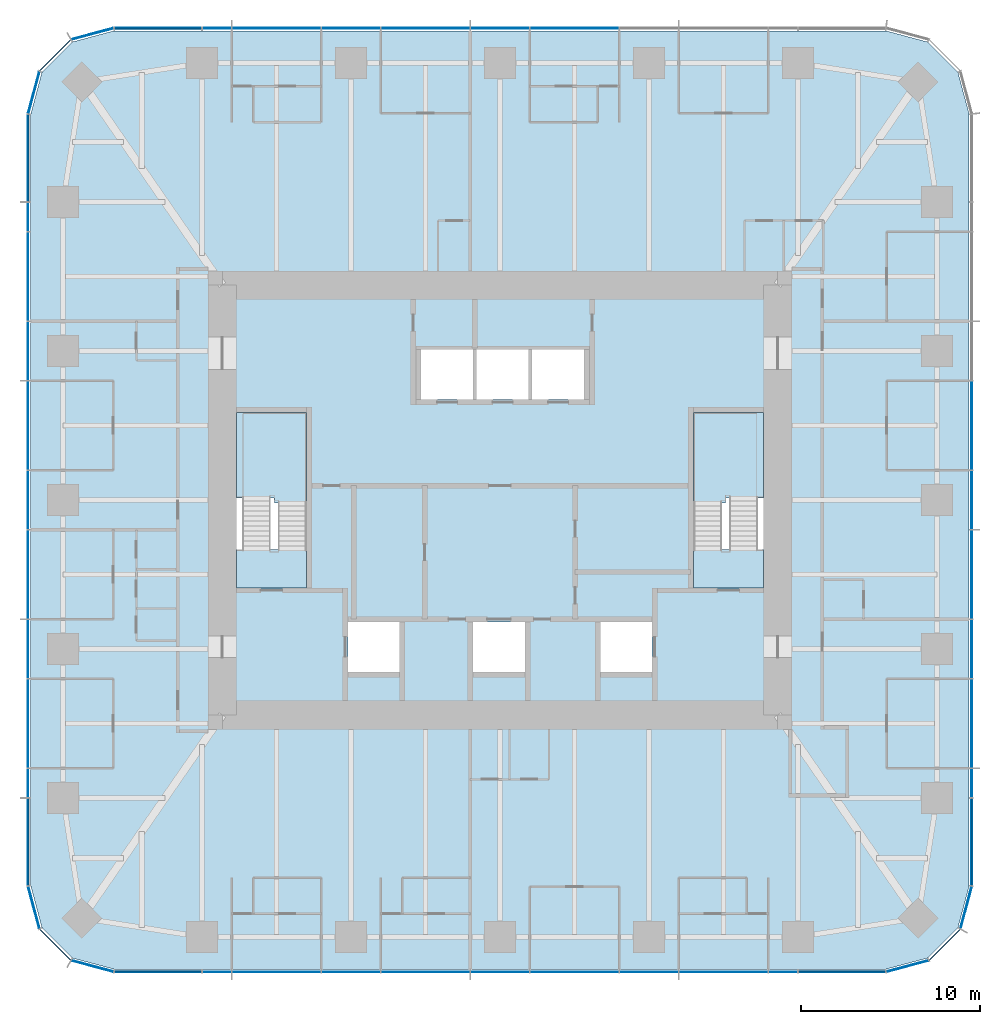
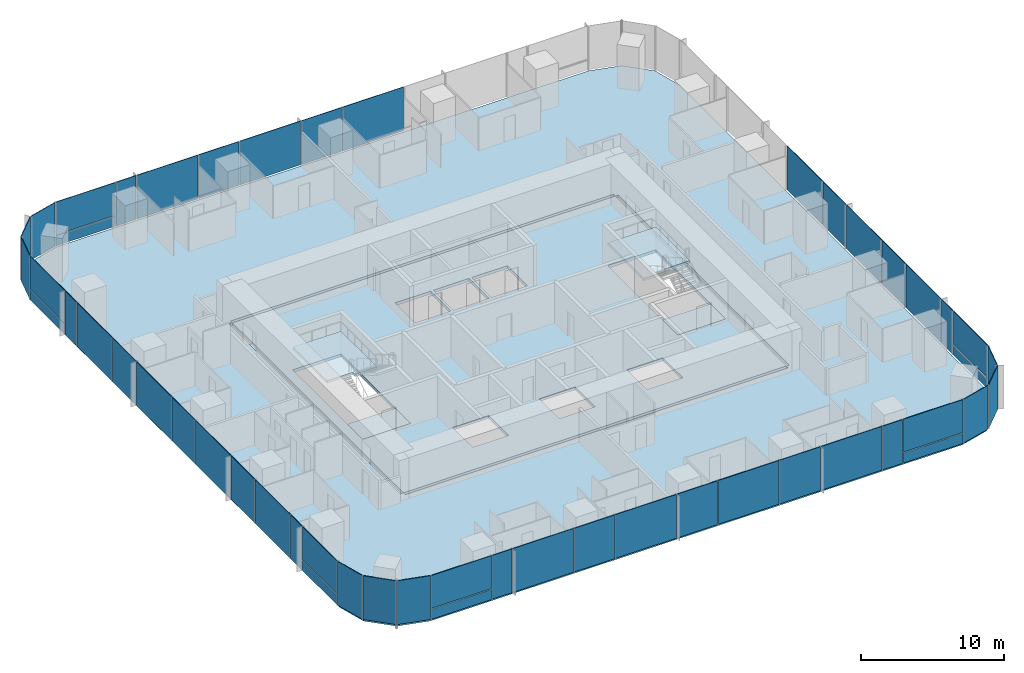
# One storey, part 7 of 12: 51 plates, 6 slabs, 9 elements without a shape of their own.
"""IFC4 building model written with IfcOpenShell, lengths in metres."""

from ifc_helpers import new_model, si_unit, direction, frame, origin, origin_2d, place, context, subcontext, project, spatial, polyline, rectangle, outline, extrude, material, layer, layer_set, type_object, element, aggregate, save


model = new_model("IFC4")

# Units and contexts
model_context = context("Model", 3, precision=1e-05, world=origin(), true_north=direction((0.0, 1.0)))
body_context = subcontext(model_context, "Body", "Model", "MODEL_VIEW")
ifc_project = project(units=[si_unit("LENGTHUNIT", "METRE"), si_unit("AREAUNIT", "SQUARE_METRE"), si_unit("VOLUMEUNIT", "CUBIC_METRE"), si_unit("PLANEANGLEUNIT", "RADIAN"), si_unit("MASSUNIT", "GRAM", prefix="KILO")], contexts=[model_context])

# Site, building, storey
site_placement = place(None, origin())
site = spatial("IfcSite", under=ifc_project, at=site_placement, CompositionType="ELEMENT")
building_placement = place(site_placement, origin())
building = spatial("IfcBuilding", under=site, at=building_placement, Name="Khuree Lantern Residences", CompositionType="ELEMENT")
storey_placement = place(building_placement, frame((0.0, 0.0, 222.0)))
storey = spatial("IfcBuildingStorey", under=building, at=storey_placement, Name="L55", CompositionType="ELEMENT", Elevation=222.0)

# Slab
ifc_material_1 = material(Name="Concrete C35/45", Category="concrete")
ifc_layer_1 = layer(ifc_material_1, 0.25)
ifc_layer_set_1 = layer_set([ifc_layer_1], Name="CFL250 CORE FLOOR SLAB 250")
slab_type_1 = type_object("IfcSlabType", Name="CFL250 CORE FLOOR SLAB 250", PredefinedType="FLOOR", material=ifc_layer_set_1)
slab_1_placement = place(storey_placement, frame((0.0, 0.0, -0.25)))
element("IfcSlab", 1, at=slab_1_placement, inside=storey, type_object=slab_type_1, Name="Core floor L55", PredefinedType="FLOOR", context=body_context, shape_type="SweptSolid", body=[
    extrude(outline(polyline([(-15.5, -12.0), (-15.5, 12.0), (15.5, 12.0), (15.5, -12.0), (-15.5, -12.0)]), holes=[polyline([(10.800048828125, 4.89990234375), (10.800048828125, -4.89990234375), (14.699951171875, -4.89990234375), (14.699951171875, 4.89990234375), (10.800048828125, 4.89990234375)]), polyline([(5.60009765625, -6.800048828125), (5.60009765625, -9.60009765625), (8.5, -9.60009765625), (8.5, -6.800048828125), (5.60009765625, -6.800048828125)]), polyline([(1.800048828125, 8.39990234375), (1.800048828125, 5.60009765625), (4.699951171875, 5.60009765625), (4.699951171875, 8.39990234375), (1.800048828125, 8.39990234375)]), polyline([(-1.300048828125, 8.39990234375), (-1.300048828125, 5.60009765625), (1.60009765625, 5.60009765625), (1.60009765625, 8.39990234375), (-1.300048828125, 8.39990234375)]), polyline([(-1.5, -6.800048828125), (-1.5, -9.60009765625), (1.39990234375, -9.60009765625), (1.39990234375, -6.800048828125), (-1.5, -6.800048828125)]), polyline([(-4.39990234375, 8.39990234375), (-4.39990234375, 5.60009765625), (-1.5, 5.60009765625), (-1.5, 8.39990234375), (-4.39990234375, 8.39990234375)]), polyline([(-8.5, -6.800048828125), (-8.5, -9.60009765625), (-5.60009765625, -9.60009765625), (-5.60009765625, -6.800048828125), (-8.5, -6.800048828125)]), polyline([(-14.699951171875, 4.89990234375), (-14.699951171875, -4.89990234375), (-10.800048828125, -4.89990234375), (-10.800048828125, 4.89990234375), (-14.699951171875, 4.89990234375)])]), origin(), (0.0, 0.0, 1.0), 0.25),
])

# Curtain wall, plates
ifc_material_2 = material(Name="Bronze anodised aluminium", Category="aluminium")
curtain_wall_type_1 = type_object("IfcCurtainWallType", Name="CW-T2 TOWER CORNER CURTAIN WALL", PredefinedType="USERDEFINED", material=ifc_material_2)
curtain_wall_1_placement = place(storey_placement, origin())
curtain_wall_1 = element("IfcCurtainWall", 2, at=curtain_wall_1_placement, inside=storey, type_object=curtain_wall_type_1, Name="L55 SOUTH-EAST CORNER CURTAIN WALL", ObjectType="Faceted corner curtain wall", PredefinedType="USERDEFINED")
ifc_material_3 = material(Name="Bronze tinted triple glazing", Category="glass")
ifc_layer_2 = layer(ifc_material_3, 0.048095703125)
ifc_layer_set_2 = layer_set([ifc_layer_2], Name="FACET PANEL P4")
plate_type_1 = type_object("IfcPlateType", Name="FACET PANEL P4", PredefinedType="CURTAIN_PANEL", material=ifc_layer_set_2)
plate_1_placement = place(storey_placement, frame((22.748046875, -26.029052734375, 0.0), z_axis=(0.0, 0.0, 1.0), x_axis=(0.965925832509, 0.258819021888, 0.0)))
plate_1 = element("IfcPlate", 3, at=plate_1_placement, type_object=plate_type_1, Name="L55 SOUTH-EAST CORNER PANEL 1.1", PredefinedType="CURTAIN_PANEL", context=body_context, shape_type="SweptSolid", body=[
    extrude(rectangle(XDim=2.40869140625, YDim=0.048095703125, at=origin_2d()), origin(), (0.0, 0.0, 1.0), 3.75),
])
plate_2_placement = place(storey_placement, frame((24.828369140625, -24.828369140625, 0.0), z_axis=(0.0, 0.0, 1.0), x_axis=(0.707106781187, 0.707106781187, 0.0)))
plate_2 = element("IfcPlate", 4, at=plate_2_placement, type_object=plate_type_1, Name="L55 SOUTH-EAST CORNER PANEL 2.1", PredefinedType="CURTAIN_PANEL", context=body_context, shape_type="SweptSolid", body=[
    extrude(rectangle(XDim=2.404541015625, YDim=0.048095703125, at=origin_2d()), origin(), (0.0, 0.0, 1.0), 3.75),
])
plate_3_placement = place(storey_placement, frame((26.029052734375, -22.748046875, 0.0), z_axis=(0.0, 0.0, 1.0), x_axis=(0.258819021888, 0.965925832509, 0.0)))
plate_3 = element("IfcPlate", 5, at=plate_3_placement, type_object=plate_type_1, Name="L55 SOUTH-EAST CORNER PANEL 3.1", PredefinedType="CURTAIN_PANEL", context=body_context, shape_type="SweptSolid", body=[
    extrude(rectangle(XDim=2.40869140625, YDim=0.048095703125, at=origin_2d()), origin(), (0.0, 0.0, 1.0), 3.75),
])
aggregate(curtain_wall_1, [plate_1, plate_2, plate_3])

curtain_wall_2_placement = place(storey_placement, origin())
curtain_wall_2 = element("IfcCurtainWall", 6, at=curtain_wall_2_placement, inside=storey, type_object=curtain_wall_type_1, Name="L55 NORTH-WEST CORNER CURTAIN WALL", ObjectType="Faceted corner curtain wall", PredefinedType="USERDEFINED")
plate_4_placement = place(storey_placement, frame((-22.748046875, 26.029052734375, 0.0), z_axis=(0.0, 0.0, 1.0), x_axis=(-0.965925832509, -0.258819021888, 0.0)))
plate_4 = element("IfcPlate", 7, at=plate_4_placement, type_object=plate_type_1, Name="L55 NORTH-WEST CORNER PANEL 29.1", PredefinedType="CURTAIN_PANEL", context=body_context, shape_type="SweptSolid", body=[
    extrude(rectangle(XDim=2.40869140625, YDim=0.048095703125, at=origin_2d()), origin(), (0.0, 0.0, 1.0), 3.75),
])
plate_5_placement = place(storey_placement, frame((-24.828369140625, 24.828369140625, 0.0), z_axis=(0.0, 0.0, 1.0), x_axis=(-0.707106781187, -0.707106781187, 0.0)))
plate_5 = element("IfcPlate", 8, at=plate_5_placement, type_object=plate_type_1, Name="L55 NORTH-WEST CORNER PANEL 30.1", PredefinedType="CURTAIN_PANEL", context=body_context, shape_type="SweptSolid", body=[
    extrude(rectangle(XDim=2.404541015625, YDim=0.048095703125, at=origin_2d()), origin(), (0.0, 0.0, 1.0), 3.75),
])
plate_6_placement = place(storey_placement, frame((-26.029052734375, 22.748046875, 0.0), z_axis=(0.0, 0.0, 1.0), x_axis=(-0.258819021888, -0.965925832509, 0.0)))
plate_6 = element("IfcPlate", 9, at=plate_6_placement, type_object=plate_type_1, Name="L55 NORTH-WEST CORNER PANEL 31.1", PredefinedType="CURTAIN_PANEL", context=body_context, shape_type="SweptSolid", body=[
    extrude(rectangle(XDim=2.40869140625, YDim=0.048095703125, at=origin_2d()), origin(), (0.0, 0.0, 1.0), 3.75),
])
aggregate(curtain_wall_2, [plate_4, plate_5, plate_6])

curtain_wall_3_placement = place(storey_placement, origin())
curtain_wall_3 = element("IfcCurtainWall", 10, at=curtain_wall_3_placement, inside=storey, type_object=curtain_wall_type_1, Name="L55 SOUTH-WEST CORNER CURTAIN WALL", ObjectType="Faceted corner curtain wall", PredefinedType="USERDEFINED")
plate_7_placement = place(storey_placement, frame((-26.029052734375, -22.748046875, 0.0), z_axis=(0.0, 0.0, 1.0), x_axis=(0.258819021888, -0.965925832509, 0.0)))
plate_7 = element("IfcPlate", 11, at=plate_7_placement, type_object=plate_type_1, Name="L55 SOUTH-WEST CORNER PANEL 43.1", PredefinedType="CURTAIN_PANEL", context=body_context, shape_type="SweptSolid", body=[
    extrude(rectangle(XDim=2.40869140625, YDim=0.048095703125, at=origin_2d()), origin(), (0.0, 0.0, 1.0), 3.75),
])
plate_8_placement = place(storey_placement, frame((-24.828369140625, -24.828369140625, 0.0), z_axis=(0.0, 0.0, 1.0), x_axis=(0.707106781187, -0.707106781187, 0.0)))
plate_8 = element("IfcPlate", 12, at=plate_8_placement, type_object=plate_type_1, Name="L55 SOUTH-WEST CORNER PANEL 44.1", PredefinedType="CURTAIN_PANEL", context=body_context, shape_type="SweptSolid", body=[
    extrude(rectangle(XDim=2.404541015625, YDim=0.048095703125, at=origin_2d()), origin(), (0.0, 0.0, 1.0), 3.75),
])
plate_9_placement = place(storey_placement, frame((-22.748046875, -26.029052734375, 0.0), z_axis=(0.0, 0.0, 1.0), x_axis=(0.965925832509, -0.258819021888, 0.0)))
plate_9 = element("IfcPlate", 13, at=plate_9_placement, type_object=plate_type_1, Name="L55 SOUTH-WEST CORNER PANEL 45.1", PredefinedType="CURTAIN_PANEL", context=body_context, shape_type="SweptSolid", body=[
    extrude(rectangle(XDim=2.40869140625, YDim=0.048095703125, at=origin_2d()), origin(), (0.0, 0.0, 1.0), 3.75),
])
aggregate(curtain_wall_3, [plate_7, plate_8, plate_9])

curtain_wall_type_2 = type_object("IfcCurtainWallType", Name="CW-T1 TOWER FACE CURTAIN WALL", PredefinedType="USERDEFINED", material=ifc_material_2)
curtain_wall_4_placement = place(storey_placement, origin())
curtain_wall_4 = element("IfcCurtainWall", 14, at=curtain_wall_4_placement, inside=storey, type_object=curtain_wall_type_2, Name="L55 EAST FACE CURTAIN WALL", ObjectType="Stick-built curtain wall", PredefinedType="USERDEFINED")
ifc_material_4 = material(Name="Bronze tinted triple glazing with a ceramic-fritted spandrel band", Category="glass")
ifc_layer_3 = layer(ifc_material_4, 0.048095703125)
ifc_layer_set_3 = layer_set([ifc_layer_3], Name="FIXED LIGHT PANEL P11")
plate_type_2 = type_object("IfcPlateType", Name="FIXED LIGHT PANEL P11", PredefinedType="CURTAIN_PANEL", material=ifc_layer_set_3)
plate_10_placement = place(storey_placement, frame((26.35009765625, -12.47998046875, 0.0), z_axis=(0.0, 0.0, 1.0), x_axis=(0.0, 1.0, 0.0)))
plate_10 = element("IfcPlate", 15, at=plate_10_placement, type_object=plate_type_2, Name="L55 EAST FACE PANEL 6.1", PredefinedType="CURTAIN_PANEL", context=body_context, shape_type="SweptSolid", body=[
    extrude(rectangle(XDim=4.927001953125, YDim=0.048095703125, at=origin_2d()), origin(), (0.0, 0.0, 1.0), 3.75),
])
plate_11_placement = place(storey_placement, frame((26.35009765625, -4.159912109375, 0.0), z_axis=(0.0, 0.0, 1.0), x_axis=(0.0, 1.0, 0.0)))
plate_11 = element("IfcPlate", 16, at=plate_11_placement, type_object=plate_type_2, Name="L55 EAST FACE PANEL 8.1", PredefinedType="CURTAIN_PANEL", context=body_context, shape_type="SweptSolid", body=[
    extrude(rectangle(XDim=4.927001953125, YDim=0.048095703125, at=origin_2d()), origin(), (0.0, 0.0, 1.0), 3.75),
])
plate_12_placement = place(storey_placement, frame((26.35009765625, 4.159912109375, 0.0), z_axis=(0.0, 0.0, 1.0), x_axis=(0.0, 1.0, 0.0)))
plate_12 = element("IfcPlate", 17, at=plate_12_placement, type_object=plate_type_2, Name="L55 EAST FACE PANEL 10.1", PredefinedType="CURTAIN_PANEL", context=body_context, shape_type="SweptSolid", body=[
    extrude(rectangle(XDim=4.927001953125, YDim=0.048095703125, at=origin_2d()), origin(), (0.0, 0.0, 1.0), 3.75),
])

curtain_wall_5_placement = place(storey_placement, origin())
curtain_wall_5 = element("IfcCurtainWall", 18, at=curtain_wall_5_placement, inside=storey, type_object=curtain_wall_type_2, Name="L55 NORTH FACE CURTAIN WALL", ObjectType="Stick-built curtain wall", PredefinedType="USERDEFINED")
plate_13_placement = place(storey_placement, frame((4.159912109375, 26.35009765625, 0.0), z_axis=(0.0, 0.0, 1.0), x_axis=(-1.0, 0.0, 0.0)))
plate_13 = element("IfcPlate", 19, at=plate_13_placement, type_object=plate_type_2, Name="L55 NORTH FACE PANEL 22.1", PredefinedType="CURTAIN_PANEL", context=body_context, shape_type="SweptSolid", body=[
    extrude(rectangle(XDim=4.927001953125, YDim=0.048095703125, at=origin_2d()), origin(), (0.0, 0.0, 1.0), 3.75),
])
plate_14_placement = place(storey_placement, frame((-4.159912109375, 26.35009765625, 0.0), z_axis=(0.0, 0.0, 1.0), x_axis=(-1.0, 0.0, 0.0)))
plate_14 = element("IfcPlate", 20, at=plate_14_placement, type_object=plate_type_2, Name="L55 NORTH FACE PANEL 24.1", PredefinedType="CURTAIN_PANEL", context=body_context, shape_type="SweptSolid", body=[
    extrude(rectangle(XDim=4.927001953125, YDim=0.048095703125, at=origin_2d()), origin(), (0.0, 0.0, 1.0), 3.75),
])
plate_15_placement = place(storey_placement, frame((-12.47998046875, 26.35009765625, 0.0), z_axis=(0.0, 0.0, 1.0), x_axis=(-1.0, 0.0, 0.0)))
plate_15 = element("IfcPlate", 21, at=plate_15_placement, type_object=plate_type_2, Name="L55 NORTH FACE PANEL 26.1", PredefinedType="CURTAIN_PANEL", context=body_context, shape_type="SweptSolid", body=[
    extrude(rectangle(XDim=4.927001953125, YDim=0.048095703125, at=origin_2d()), origin(), (0.0, 0.0, 1.0), 3.75),
])

curtain_wall_6_placement = place(storey_placement, origin())
curtain_wall_6 = element("IfcCurtainWall", 22, at=curtain_wall_6_placement, inside=storey, type_object=curtain_wall_type_2, Name="L55 WEST FACE CURTAIN WALL", ObjectType="Stick-built curtain wall", PredefinedType="USERDEFINED")
plate_16_placement = place(storey_placement, frame((-26.35009765625, 12.47998046875, 0.0), z_axis=(0.0, 0.0, 1.0), x_axis=(0.0, -1.0, 0.0)))
plate_16 = element("IfcPlate", 23, at=plate_16_placement, type_object=plate_type_2, Name="L55 WEST FACE PANEL 34.1", PredefinedType="CURTAIN_PANEL", context=body_context, shape_type="SweptSolid", body=[
    extrude(rectangle(XDim=4.927001953125, YDim=0.048095703125, at=origin_2d()), origin(), (0.0, 0.0, 1.0), 3.75),
])
plate_17_placement = place(storey_placement, frame((-26.35009765625, 4.159912109375, 0.0), z_axis=(0.0, 0.0, 1.0), x_axis=(0.0, -1.0, 0.0)))
plate_17 = element("IfcPlate", 24, at=plate_17_placement, type_object=plate_type_2, Name="L55 WEST FACE PANEL 36.1", PredefinedType="CURTAIN_PANEL", context=body_context, shape_type="SweptSolid", body=[
    extrude(rectangle(XDim=4.927001953125, YDim=0.048095703125, at=origin_2d()), origin(), (0.0, 0.0, 1.0), 3.75),
])
plate_18_placement = place(storey_placement, frame((-26.35009765625, -4.159912109375, 0.0), z_axis=(0.0, 0.0, 1.0), x_axis=(0.0, -1.0, 0.0)))
plate_18 = element("IfcPlate", 25, at=plate_18_placement, type_object=plate_type_2, Name="L55 WEST FACE PANEL 38.1", PredefinedType="CURTAIN_PANEL", context=body_context, shape_type="SweptSolid", body=[
    extrude(rectangle(XDim=4.927001953125, YDim=0.048095703125, at=origin_2d()), origin(), (0.0, 0.0, 1.0), 3.75),
])
plate_19_placement = place(storey_placement, frame((-26.35009765625, -12.47998046875, 0.0), z_axis=(0.0, 0.0, 1.0), x_axis=(0.0, -1.0, 0.0)))
plate_19 = element("IfcPlate", 26, at=plate_19_placement, type_object=plate_type_2, Name="L55 WEST FACE PANEL 40.1", PredefinedType="CURTAIN_PANEL", context=body_context, shape_type="SweptSolid", body=[
    extrude(rectangle(XDim=4.927001953125, YDim=0.048095703125, at=origin_2d()), origin(), (0.0, 0.0, 1.0), 3.75),
])

curtain_wall_7_placement = place(storey_placement, origin())
curtain_wall_7 = element("IfcCurtainWall", 27, at=curtain_wall_7_placement, inside=storey, type_object=curtain_wall_type_2, Name="L55 SOUTH FACE CURTAIN WALL", ObjectType="Stick-built curtain wall", PredefinedType="USERDEFINED")
plate_20_placement = place(storey_placement, frame((-12.47998046875, -26.35009765625, 0.0), z_axis=(0.0, 0.0, 1.0), x_axis=(1.0, 0.0, 0.0)))
plate_20 = element("IfcPlate", 28, at=plate_20_placement, type_object=plate_type_2, Name="L55 SOUTH FACE PANEL 48.1", PredefinedType="CURTAIN_PANEL", context=body_context, shape_type="SweptSolid", body=[
    extrude(rectangle(XDim=4.927001953125, YDim=0.048095703125, at=origin_2d()), origin(), (0.0, 0.0, 1.0), 3.75),
])
plate_21_placement = place(storey_placement, frame((-4.159912109375, -26.35009765625, 0.0), z_axis=(0.0, 0.0, 1.0), x_axis=(1.0, 0.0, 0.0)))
plate_21 = element("IfcPlate", 29, at=plate_21_placement, type_object=plate_type_2, Name="L55 SOUTH FACE PANEL 50.1", PredefinedType="CURTAIN_PANEL", context=body_context, shape_type="SweptSolid", body=[
    extrude(rectangle(XDim=4.927001953125, YDim=0.048095703125, at=origin_2d()), origin(), (0.0, 0.0, 1.0), 3.75),
])
plate_22_placement = place(storey_placement, frame((4.159912109375, -26.35009765625, 0.0), z_axis=(0.0, 0.0, 1.0), x_axis=(1.0, 0.0, 0.0)))
plate_22 = element("IfcPlate", 30, at=plate_22_placement, type_object=plate_type_2, Name="L55 SOUTH FACE PANEL 52.1", PredefinedType="CURTAIN_PANEL", context=body_context, shape_type="SweptSolid", body=[
    extrude(rectangle(XDim=4.927001953125, YDim=0.048095703125, at=origin_2d()), origin(), (0.0, 0.0, 1.0), 3.75),
])
plate_23_placement = place(storey_placement, frame((12.47998046875, -26.35009765625, 0.0), z_axis=(0.0, 0.0, 1.0), x_axis=(1.0, 0.0, 0.0)))
plate_23 = element("IfcPlate", 31, at=plate_23_placement, type_object=plate_type_2, Name="L55 SOUTH FACE PANEL 54.1", PredefinedType="CURTAIN_PANEL", context=body_context, shape_type="SweptSolid", body=[
    extrude(rectangle(XDim=4.927001953125, YDim=0.048095703125, at=origin_2d()), origin(), (0.0, 0.0, 1.0), 3.75),
])

# Slab
ifc_layer_4 = layer(ifc_material_1, 0.25)
ifc_layer_set_4 = layer_set([ifc_layer_4], Name="FS250 FLOOR SLAB 250")
slab_type_2 = type_object("IfcSlabType", Name="FS250 FLOOR SLAB 250", PredefinedType="FLOOR", material=ifc_layer_set_4)
slab_2_placement = place(storey_placement, frame((0.0, 0.0, -0.25)))
element("IfcSlab", 32, at=slab_2_placement, inside=storey, type_object=slab_type_2, Name="Floor slab L55", PredefinedType="FLOOR", context=body_context, shape_type="SweptSolid", body=[
    extrude(outline(polyline([(-23.875, -25.576904296875), (-25.576904296875, -23.875), (-26.199951171875, -21.550048828125), (-26.199951171875, 21.550048828125), (-25.576904296875, 23.875), (-23.875, 25.576904296875), (-21.550048828125, 26.199951171875), (21.550048828125, 26.199951171875), (23.875, 25.576904296875), (25.576904296875, 23.875), (26.199951171875, 21.550048828125), (26.199951171875, -21.550048828125), (25.576904296875, -23.875), (23.875, -25.576904296875), (21.550048828125, -26.199951171875), (-21.550048828125, -26.199951171875), (-23.875, -25.576904296875)]), holes=[polyline([(15.75, 12.0), (15.5, 12.0), (15.5, 12.25), (-15.5, 12.25), (-15.5, 12.0), (-15.75, 12.0), (-15.75, -12.0), (-15.5, -12.0), (-15.5, -12.25), (15.5, -12.25), (15.5, -12.0), (15.75, -12.0), (15.75, 12.0)])]), origin(), (0.0, 0.0, 1.0), 0.25),
])

# Plate
ifc_material_5 = material(Name="Bronze tinted triple glazing, two aluminium-framed sashes in one frame", Category="aluminium")
ifc_layer_5 = layer(ifc_material_5, 0.048095703125)
ifc_layer_set_5 = layer_set([ifc_layer_5], Name="SASH PAIR PANEL P12")
plate_type_3 = type_object("IfcPlateType", Name="SASH PAIR PANEL P12", PredefinedType="CURTAIN_PANEL", material=ifc_layer_set_5)
plate_24_placement = place(storey_placement, frame((26.35009765625, -8.320068359375, 0.0), z_axis=(0.0, 0.0, 1.0), x_axis=(0.0, 1.0, 0.0)))
plate_24 = element("IfcPlate", 33, at=plate_24_placement, type_object=plate_type_3, Name="L55 EAST FACE PANEL 7.1", PredefinedType="CURTAIN_PANEL", context=body_context, shape_type="SweptSolid", body=[
    extrude(rectangle(XDim=3.262939453125, YDim=0.048095703125, at=origin_2d()), origin(), (0.0, 0.0, 1.0), 3.75),
])

plate_25_placement = place(storey_placement, frame((26.35009765625, 0.0, 0.0), z_axis=(0.0, 0.0, 1.0), x_axis=(0.0, 1.0, 0.0)))
plate_25 = element("IfcPlate", 34, at=plate_25_placement, type_object=plate_type_3, Name="L55 EAST FACE PANEL 9.1", PredefinedType="CURTAIN_PANEL", context=body_context, shape_type="SweptSolid", body=[
    extrude(rectangle(XDim=3.262939453125, YDim=0.048095703125, at=origin_2d()), origin(), (0.0, 0.0, 1.0), 3.75),
])

plate_26_placement = place(storey_placement, frame((0.0, 26.35009765625, 0.0), z_axis=(0.0, 0.0, 1.0), x_axis=(-1.0, 0.0, 0.0)))
plate_26 = element("IfcPlate", 35, at=plate_26_placement, type_object=plate_type_3, Name="L55 NORTH FACE PANEL 23.1", PredefinedType="CURTAIN_PANEL", context=body_context, shape_type="SweptSolid", body=[
    extrude(rectangle(XDim=3.262939453125, YDim=0.048095703125, at=origin_2d()), origin(), (0.0, 0.0, 1.0), 3.75),
])

plate_27_placement = place(storey_placement, frame((-8.320068359375, 26.35009765625, 0.0), z_axis=(0.0, 0.0, 1.0), x_axis=(-1.0, 0.0, 0.0)))
plate_27 = element("IfcPlate", 36, at=plate_27_placement, type_object=plate_type_3, Name="L55 NORTH FACE PANEL 25.1", PredefinedType="CURTAIN_PANEL", context=body_context, shape_type="SweptSolid", body=[
    extrude(rectangle(XDim=3.262939453125, YDim=0.048095703125, at=origin_2d()), origin(), (0.0, 0.0, 1.0), 3.75),
])

plate_28_placement = place(storey_placement, frame((-26.35009765625, 8.320068359375, 0.0), z_axis=(0.0, 0.0, 1.0), x_axis=(0.0, -1.0, 0.0)))
plate_28 = element("IfcPlate", 37, at=plate_28_placement, type_object=plate_type_3, Name="L55 WEST FACE PANEL 35.1", PredefinedType="CURTAIN_PANEL", context=body_context, shape_type="SweptSolid", body=[
    extrude(rectangle(XDim=3.262939453125, YDim=0.048095703125, at=origin_2d()), origin(), (0.0, 0.0, 1.0), 3.75),
])

plate_29_placement = place(storey_placement, frame((-26.35009765625, 0.0, 0.0), z_axis=(0.0, 0.0, 1.0), x_axis=(0.0, -1.0, 0.0)))
plate_29 = element("IfcPlate", 38, at=plate_29_placement, type_object=plate_type_3, Name="L55 WEST FACE PANEL 37.1", PredefinedType="CURTAIN_PANEL", context=body_context, shape_type="SweptSolid", body=[
    extrude(rectangle(XDim=3.262939453125, YDim=0.048095703125, at=origin_2d()), origin(), (0.0, 0.0, 1.0), 3.75),
])

plate_30_placement = place(storey_placement, frame((-26.35009765625, -8.320068359375, 0.0), z_axis=(0.0, 0.0, 1.0), x_axis=(0.0, -1.0, 0.0)))
plate_30 = element("IfcPlate", 39, at=plate_30_placement, type_object=plate_type_3, Name="L55 WEST FACE PANEL 39.1", PredefinedType="CURTAIN_PANEL", context=body_context, shape_type="SweptSolid", body=[
    extrude(rectangle(XDim=3.262939453125, YDim=0.048095703125, at=origin_2d()), origin(), (0.0, 0.0, 1.0), 3.75),
])

plate_31_placement = place(storey_placement, frame((-8.320068359375, -26.35009765625, 0.0), z_axis=(0.0, 0.0, 1.0), x_axis=(1.0, 0.0, 0.0)))
plate_31 = element("IfcPlate", 40, at=plate_31_placement, type_object=plate_type_3, Name="L55 SOUTH FACE PANEL 49.1", PredefinedType="CURTAIN_PANEL", context=body_context, shape_type="SweptSolid", body=[
    extrude(rectangle(XDim=3.262939453125, YDim=0.048095703125, at=origin_2d()), origin(), (0.0, 0.0, 1.0), 3.75),
])

plate_32_placement = place(storey_placement, frame((0.0, -26.35009765625, 0.0), z_axis=(0.0, 0.0, 1.0), x_axis=(1.0, 0.0, 0.0)))
plate_32 = element("IfcPlate", 41, at=plate_32_placement, type_object=plate_type_3, Name="L55 SOUTH FACE PANEL 51.1", PredefinedType="CURTAIN_PANEL", context=body_context, shape_type="SweptSolid", body=[
    extrude(rectangle(XDim=3.262939453125, YDim=0.048095703125, at=origin_2d()), origin(), (0.0, 0.0, 1.0), 3.75),
])

plate_33_placement = place(storey_placement, frame((8.320068359375, -26.35009765625, 0.0), z_axis=(0.0, 0.0, 1.0), x_axis=(1.0, 0.0, 0.0)))
plate_33 = element("IfcPlate", 42, at=plate_33_placement, type_object=plate_type_3, Name="L55 SOUTH FACE PANEL 53.1", PredefinedType="CURTAIN_PANEL", context=body_context, shape_type="SweptSolid", body=[
    extrude(rectangle(XDim=3.262939453125, YDim=0.048095703125, at=origin_2d()), origin(), (0.0, 0.0, 1.0), 3.75),
])

ifc_material_6 = material(Name="Bronze tinted triple glazing, aluminium-framed sash", Category="aluminium")
ifc_layer_6 = layer(ifc_material_6, 0.048095703125)
ifc_layer_set_6 = layer_set([ifc_layer_6], Name="SASH PANEL P3")
plate_type_4 = type_object("IfcPlateType", Name="SASH PANEL P3", PredefinedType="CURTAIN_PANEL", material=ifc_layer_set_6)
plate_34_placement = place(storey_placement, frame((26.35009765625, -15.80810546875, 0.0), z_axis=(0.0, 0.0, 1.0), x_axis=(0.0, 1.0, 0.0)))
plate_34 = element("IfcPlate", 43, at=plate_34_placement, type_object=plate_type_4, Name="L55 EAST FACE PANEL 5.1", PredefinedType="CURTAIN_PANEL", context=body_context, shape_type="SweptSolid", body=[
    extrude(rectangle(XDim=1.59912109375, YDim=0.048095703125, at=origin_2d()), origin(), (0.0, 0.0, 1.0), 3.75),
])

plate_35_placement = place(storey_placement, frame((-15.80810546875, 26.35009765625, 0.0), z_axis=(0.0, 0.0, 1.0), x_axis=(-1.0, 0.0, 0.0)))
plate_35 = element("IfcPlate", 44, at=plate_35_placement, type_object=plate_type_4, Name="L55 NORTH FACE PANEL 27.1", PredefinedType="CURTAIN_PANEL", context=body_context, shape_type="SweptSolid", body=[
    extrude(rectangle(XDim=1.59912109375, YDim=0.048095703125, at=origin_2d()), origin(), (0.0, 0.0, 1.0), 3.75),
])

plate_36_placement = place(storey_placement, frame((-26.35009765625, 15.80810546875, 0.0), z_axis=(0.0, 0.0, 1.0), x_axis=(0.0, -1.0, 0.0)))
plate_36 = element("IfcPlate", 45, at=plate_36_placement, type_object=plate_type_4, Name="L55 WEST FACE PANEL 33.1", PredefinedType="CURTAIN_PANEL", context=body_context, shape_type="SweptSolid", body=[
    extrude(rectangle(XDim=1.59912109375, YDim=0.048095703125, at=origin_2d()), origin(), (0.0, 0.0, 1.0), 3.75),
])

plate_37_placement = place(storey_placement, frame((-26.35009765625, -15.80810546875, 0.0), z_axis=(0.0, 0.0, 1.0), x_axis=(0.0, -1.0, 0.0)))
plate_37 = element("IfcPlate", 46, at=plate_37_placement, type_object=plate_type_4, Name="L55 WEST FACE PANEL 41.1", PredefinedType="CURTAIN_PANEL", context=body_context, shape_type="SweptSolid", body=[
    extrude(rectangle(XDim=1.59912109375, YDim=0.048095703125, at=origin_2d()), origin(), (0.0, 0.0, 1.0), 3.75),
])

plate_38_placement = place(storey_placement, frame((-15.80810546875, -26.35009765625, 0.0), z_axis=(0.0, 0.0, 1.0), x_axis=(1.0, 0.0, 0.0)))
plate_38 = element("IfcPlate", 47, at=plate_38_placement, type_object=plate_type_4, Name="L55 SOUTH FACE PANEL 47.1", PredefinedType="CURTAIN_PANEL", context=body_context, shape_type="SweptSolid", body=[
    extrude(rectangle(XDim=1.59912109375, YDim=0.048095703125, at=origin_2d()), origin(), (0.0, 0.0, 1.0), 3.75),
])

plate_39_placement = place(storey_placement, frame((15.80810546875, -26.35009765625, 0.0), z_axis=(0.0, 0.0, 1.0), x_axis=(1.0, 0.0, 0.0)))
plate_39 = element("IfcPlate", 48, at=plate_39_placement, type_object=plate_type_4, Name="L55 SOUTH FACE PANEL 55.1", PredefinedType="CURTAIN_PANEL", context=body_context, shape_type="SweptSolid", body=[
    extrude(rectangle(XDim=1.59912109375, YDim=0.048095703125, at=origin_2d()), origin(), (0.0, 0.0, 1.0), 3.75),
])

ifc_material_7 = material(Name="Bronze anodised aluminium insulated spandrel", Category="aluminium")
ifc_layer_7 = layer(ifc_material_7, 0.06005859375)
ifc_layer_set_7 = layer_set([ifc_layer_7], Name="SPANDREL PANEL P2")
plate_type_5 = type_object("IfcPlateType", Name="SPANDREL PANEL P2", PredefinedType="CURTAIN_PANEL", material=ifc_layer_set_7)
plate_40_placement = place(storey_placement, frame((26.35009765625, -19.0927734375, 0.0), z_axis=(0.0, 0.0, 1.0), x_axis=(0.0, 1.0, 0.0)))
plate_40 = element("IfcPlate", 49, at=plate_40_placement, type_object=plate_type_5, Name="L55 EAST FACE PANEL 4.1", PredefinedType="CURTAIN_PANEL", context=body_context, shape_type="SweptSolid", body=[
    extrude(rectangle(XDim=4.8408203125, YDim=0.06005859375, at=origin_2d()), origin(), (0.0, 0.0, 1.0), 0.867431640625),
])

plate_41_placement = place(storey_placement, frame((-19.0927734375, 26.35009765625, 0.0), z_axis=(0.0, 0.0, 1.0), x_axis=(-1.0, 0.0, 0.0)))
plate_41 = element("IfcPlate", 50, at=plate_41_placement, type_object=plate_type_5, Name="L55 NORTH FACE PANEL 28.1", PredefinedType="CURTAIN_PANEL", context=body_context, shape_type="SweptSolid", body=[
    extrude(rectangle(XDim=4.8408203125, YDim=0.06005859375, at=origin_2d()), origin(), (0.0, 0.0, 1.0), 0.867431640625),
])

plate_42_placement = place(storey_placement, frame((-26.35009765625, 19.0927734375, 0.0), z_axis=(0.0, 0.0, 1.0), x_axis=(0.0, -1.0, 0.0)))
plate_42 = element("IfcPlate", 51, at=plate_42_placement, type_object=plate_type_5, Name="L55 WEST FACE PANEL 32.1", PredefinedType="CURTAIN_PANEL", context=body_context, shape_type="SweptSolid", body=[
    extrude(rectangle(XDim=4.8408203125, YDim=0.06005859375, at=origin_2d()), origin(), (0.0, 0.0, 1.0), 0.867431640625),
])

plate_43_placement = place(storey_placement, frame((-26.35009765625, -19.0927734375, 0.0), z_axis=(0.0, 0.0, 1.0), x_axis=(0.0, -1.0, 0.0)))
plate_43 = element("IfcPlate", 52, at=plate_43_placement, type_object=plate_type_5, Name="L55 WEST FACE PANEL 42.1", PredefinedType="CURTAIN_PANEL", context=body_context, shape_type="SweptSolid", body=[
    extrude(rectangle(XDim=4.8408203125, YDim=0.06005859375, at=origin_2d()), origin(), (0.0, 0.0, 1.0), 0.867431640625),
])

plate_44_placement = place(storey_placement, frame((-19.0927734375, -26.35009765625, 0.0), z_axis=(0.0, 0.0, 1.0), x_axis=(1.0, 0.0, 0.0)))
plate_44 = element("IfcPlate", 53, at=plate_44_placement, type_object=plate_type_5, Name="L55 SOUTH FACE PANEL 46.1", PredefinedType="CURTAIN_PANEL", context=body_context, shape_type="SweptSolid", body=[
    extrude(rectangle(XDim=4.8408203125, YDim=0.06005859375, at=origin_2d()), origin(), (0.0, 0.0, 1.0), 0.867431640625),
])

plate_45_placement = place(storey_placement, frame((19.0927734375, -26.35009765625, 0.0), z_axis=(0.0, 0.0, 1.0), x_axis=(1.0, 0.0, 0.0)))
plate_45 = element("IfcPlate", 54, at=plate_45_placement, type_object=plate_type_5, Name="L55 SOUTH FACE PANEL 56.1", PredefinedType="CURTAIN_PANEL", context=body_context, shape_type="SweptSolid", body=[
    extrude(rectangle(XDim=4.8408203125, YDim=0.06005859375, at=origin_2d()), origin(), (0.0, 0.0, 1.0), 0.867431640625),
])

# Stair, slabs
ifc_material_8 = material(Name="Concrete C40/50", Category="concrete")
stair_type = type_object("IfcStairType", Name="STAIR ST1 HALF TURN 3600", PredefinedType="HALF_TURN_STAIR", material=ifc_material_8)
stair_1_placement = place(storey_placement, origin())
stair_1 = element("IfcStair", 55, at=stair_1_placement, inside=storey, type_object=stair_type, Name="Stair ST1", PredefinedType="HALF_TURN_STAIR")
ifc_layer_8 = layer(ifc_material_8, 0.199951171875)
ifc_layer_set_8 = layer_set([ifc_layer_8], Name="STAIR LANDING SL1 200")
slab_type_3 = type_object("IfcSlabType", Name="STAIR LANDING SL1 200", PredefinedType="LANDING", material=ifc_layer_set_8)
slab_3_placement = place(storey_placement, frame((0.0, 0.0, -0.199951171875)))
slab_3 = element("IfcSlab", 56, at=slab_3_placement, type_object=slab_type_3, Name="ST1 landing 1", PredefinedType="LANDING", context=body_context, shape_type="SweptSolid", body=[
    extrude(outline(polyline([(-14.699951171875, -4.89990234375), (-10.800048828125, -4.89990234375), (-10.800048828125, -2.760009765625), (-14.699951171875, -2.760009765625), (-14.699951171875, -4.89990234375)])), origin(), (0.0, 0.0, 1.0), 0.199951171875),
])
slab_4_placement = place(storey_placement, frame((0.0, 0.0, 1.756591796875)))
slab_4 = element("IfcSlab", 57, at=slab_4_placement, type_object=slab_type_3, Name="ST1 landing 2", PredefinedType="LANDING", context=body_context, shape_type="SweptSolid", body=[
    extrude(outline(polyline([(-14.699951171875, 0.1201171875), (-14.699951171875, 4.89990234375), (-10.800048828125, 4.89990234375), (-10.800048828125, -0.159912109375), (-12.60009765625, -0.159912109375), (-12.60009765625, 0.1201171875), (-14.699951171875, 0.1201171875)])), origin(), (0.0, 0.0, 1.0), 0.199951171875),
])
aggregate(stair_1, [slab_3, slab_4])

stair_2_placement = place(storey_placement, origin())
stair_2 = element("IfcStair", 58, at=stair_2_placement, inside=storey, type_object=stair_type, Name="Stair ST2", PredefinedType="HALF_TURN_STAIR")
slab_5_placement = place(storey_placement, frame((0.0, 0.0, -0.199951171875)))
slab_5 = element("IfcSlab", 59, at=slab_5_placement, type_object=slab_type_3, Name="ST2 landing 1", PredefinedType="LANDING", context=body_context, shape_type="SweptSolid", body=[
    extrude(outline(polyline([(10.800048828125, -4.89990234375), (14.699951171875, -4.89990234375), (14.699951171875, -2.760009765625), (10.800048828125, -2.760009765625), (10.800048828125, -4.89990234375)])), origin(), (0.0, 0.0, 1.0), 0.199951171875),
])
slab_6_placement = place(storey_placement, frame((0.0, 0.0, 1.756591796875)))
slab_6 = element("IfcSlab", 60, at=slab_6_placement, type_object=slab_type_3, Name="ST2 landing 2", PredefinedType="LANDING", context=body_context, shape_type="SweptSolid", body=[
    extrude(outline(polyline([(14.699951171875, 4.89990234375), (14.699951171875, 0.1201171875), (12.60009765625, 0.1201171875), (12.60009765625, -0.159912109375), (10.800048828125, -0.159912109375), (10.800048828125, 4.89990234375), (14.699951171875, 4.89990234375)])), origin(), (0.0, 0.0, 1.0), 0.199951171875),
])
aggregate(stair_2, [slab_5, slab_6])

# Plate
ifc_layer_9 = layer(ifc_material_3, 0.048095703125)
ifc_layer_set_9 = layer_set([ifc_layer_9], Name="VISION PANEL P1")
plate_type_6 = type_object("IfcPlateType", Name="VISION PANEL P1", PredefinedType="CURTAIN_PANEL", material=ifc_layer_set_9)
plate_46_placement = place(storey_placement, frame((26.35009765625, -19.09326171875, 0.9326171875), z_axis=(0.0, 0.0, 1.0), x_axis=(0.0, 1.0, 0.0)))
plate_46 = element("IfcPlate", 61, at=plate_46_placement, type_object=plate_type_6, Name="L55 EAST FACE PANEL 4.2", PredefinedType="CURTAIN_PANEL", context=body_context, shape_type="SweptSolid", body=[
    extrude(rectangle(XDim=4.841552734375, YDim=0.048095703125, at=origin_2d()), origin(), (0.0, 0.0, 1.0), 2.8173828125),
])

aggregate(curtain_wall_4, [plate_40, plate_46, plate_34, plate_10, plate_24, plate_11, plate_25, plate_12])

plate_47_placement = place(storey_placement, frame((-19.09326171875, 26.35009765625, 0.9326171875), z_axis=(0.0, 0.0, 1.0), x_axis=(-1.0, 0.0, 0.0)))
plate_47 = element("IfcPlate", 62, at=plate_47_placement, type_object=plate_type_6, Name="L55 NORTH FACE PANEL 28.2", PredefinedType="CURTAIN_PANEL", context=body_context, shape_type="SweptSolid", body=[
    extrude(rectangle(XDim=4.841552734375, YDim=0.048095703125, at=origin_2d()), origin(), (0.0, 0.0, 1.0), 2.8173828125),
])

aggregate(curtain_wall_5, [plate_13, plate_26, plate_14, plate_27, plate_15, plate_35, plate_41, plate_47])

plate_48_placement = place(storey_placement, frame((-26.35009765625, 19.09326171875, 0.9326171875), z_axis=(0.0, 0.0, 1.0), x_axis=(0.0, -1.0, 0.0)))
plate_48 = element("IfcPlate", 63, at=plate_48_placement, type_object=plate_type_6, Name="L55 WEST FACE PANEL 32.2", PredefinedType="CURTAIN_PANEL", context=body_context, shape_type="SweptSolid", body=[
    extrude(rectangle(XDim=4.841552734375, YDim=0.048095703125, at=origin_2d()), origin(), (0.0, 0.0, 1.0), 2.8173828125),
])

plate_49_placement = place(storey_placement, frame((-26.35009765625, -19.09326171875, 0.9326171875), z_axis=(0.0, 0.0, 1.0), x_axis=(0.0, -1.0, 0.0)))
plate_49 = element("IfcPlate", 64, at=plate_49_placement, type_object=plate_type_6, Name="L55 WEST FACE PANEL 42.2", PredefinedType="CURTAIN_PANEL", context=body_context, shape_type="SweptSolid", body=[
    extrude(rectangle(XDim=4.841552734375, YDim=0.048095703125, at=origin_2d()), origin(), (0.0, 0.0, 1.0), 2.8173828125),
])

aggregate(curtain_wall_6, [plate_42, plate_48, plate_36, plate_16, plate_28, plate_17, plate_29, plate_18, plate_30, plate_19, plate_37, plate_43, plate_49])

plate_50_placement = place(storey_placement, frame((-19.09326171875, -26.35009765625, 0.9326171875), z_axis=(0.0, 0.0, 1.0), x_axis=(1.0, 0.0, 0.0)))
plate_50 = element("IfcPlate", 65, at=plate_50_placement, type_object=plate_type_6, Name="L55 SOUTH FACE PANEL 46.2", PredefinedType="CURTAIN_PANEL", context=body_context, shape_type="SweptSolid", body=[
    extrude(rectangle(XDim=4.841552734375, YDim=0.048095703125, at=origin_2d()), origin(), (0.0, 0.0, 1.0), 2.8173828125),
])

plate_51_placement = place(storey_placement, frame((19.09326171875, -26.35009765625, 0.9326171875), z_axis=(0.0, 0.0, 1.0), x_axis=(1.0, 0.0, 0.0)))
plate_51 = element("IfcPlate", 66, at=plate_51_placement, type_object=plate_type_6, Name="L55 SOUTH FACE PANEL 56.2", PredefinedType="CURTAIN_PANEL", context=body_context, shape_type="SweptSolid", body=[
    extrude(rectangle(XDim=4.841552734375, YDim=0.048095703125, at=origin_2d()), origin(), (0.0, 0.0, 1.0), 2.8173828125),
])

aggregate(curtain_wall_7, [plate_44, plate_50, plate_38, plate_20, plate_31, plate_21, plate_32, plate_22, plate_33, plate_23, plate_39, plate_45, plate_51])

save(model, "model.ifc")
